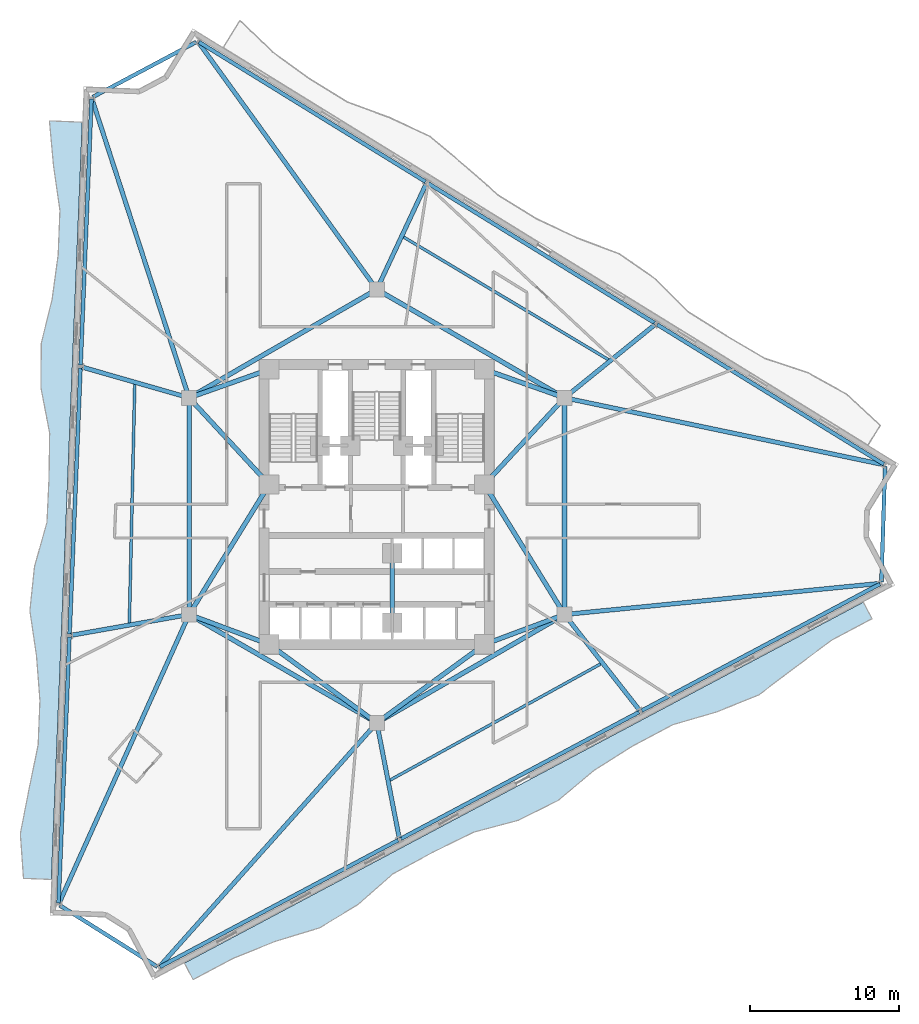
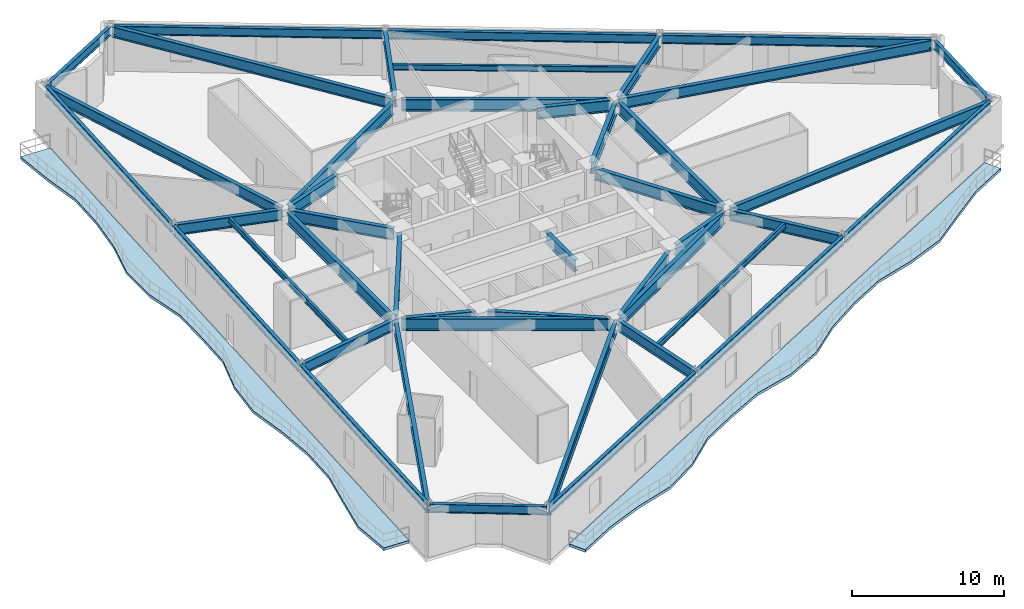
# One storey, part 3 of 12: 44 beams, 2 slabs.
"""IFC4 building model written with IfcOpenShell, lengths in metres."""

from ifc_helpers import new_model, si_unit, direction, frame, origin, origin_2d, place, context, subcontext, project, spatial, polyline, i_section, outline, extrude, material, layer, layer_set, material_profile, profile_set, type_object, element, save


model = new_model("IFC4")

# Units and contexts
model_context = context("Model", 3, precision=1e-05, world=origin(), true_north=direction((0.0, 1.0)))
body_context = subcontext(model_context, "Body", "Model", "MODEL_VIEW")
ifc_project = project(units=[si_unit("LENGTHUNIT", "METRE"), si_unit("AREAUNIT", "SQUARE_METRE"), si_unit("VOLUMEUNIT", "CUBIC_METRE"), si_unit("PLANEANGLEUNIT", "RADIAN"), si_unit("MASSUNIT", "GRAM", prefix="KILO")], contexts=[model_context])

# Site, building, storey
site_placement = place(None, origin())
site = spatial("IfcSite", under=ifc_project, at=site_placement, CompositionType="ELEMENT")
building_placement = place(site_placement, origin())
building = spatial("IfcBuilding", under=site, at=building_placement, Name="Apsidion Concourse Tower", CompositionType="ELEMENT")
storey_placement = place(building_placement, frame((0.0, 0.0, 181.89990234375)))
storey = spatial("IfcBuildingStorey", under=building, at=storey_placement, Name="L42", CompositionType="ELEMENT", Elevation=181.89990234375)

# Beams
ifc_material_1 = material(Name="Structural steel ASTM A992 Grade 50", Category="steel")
ifc_material_profile_1 = material_profile(ifc_material_1, i_section(OverallWidth=0.19091796875, OverallDepth=0.45703125, WebThickness=0.009033203125, FlangeThickness=0.014404296875, at=origin_2d()), Name="W18X50")
ifc_profile_set_1 = profile_set([ifc_material_profile_1], Name="Structural steel ASTM A992 Grade 50")
beam_type_1 = type_object("IfcBeamType", Name="BM-FL-W18", PredefinedType="BEAM", material=ifc_profile_set_1)
beam_1_placement = place(storey_placement, frame((-16.192138671875, 8.29248046875, 3.62158203125), z_axis=(-0.022697860677, -0.999742370374, 0.0), x_axis=(0.999742370374, -0.022697860677, 0.0)))
element("IfcBeam", 1, at=beam_1_placement, inside=storey, type_object=beam_type_1, Name="L42 Secondary Floor Beam SEC-F1", PredefinedType="BEAM", context=body_context, shape_type="SweptSolid", body=[
    extrude(i_section(OverallWidth=0.19091796875, OverallDepth=0.45703125, WebThickness=0.009033203125, FlangeThickness=0.014404296875, at=origin_2d()), origin(), (0.0, 0.0, 1.0), 16.25244140625),
])
beam_2_placement = place(storey_placement, frame((0.760009765625, -18.40087890625, 3.62158203125), z_axis=(0.87560616621, 0.483025715355, 0.0), x_axis=(-0.483025715355, 0.87560616621, 0.0)))
element("IfcBeam", 2, at=beam_2_placement, inside=storey, type_object=beam_type_1, Name="L42 Secondary Floor Beam SEC-F2", PredefinedType="BEAM", context=body_context, shape_type="SweptSolid", body=[
    extrude(i_section(OverallWidth=0.19091796875, OverallDepth=0.45703125, WebThickness=0.009033203125, FlangeThickness=0.014404296875, at=origin_2d()), origin(), (0.0, 0.0, 1.0), 16.376708984375),
])
beam_3_placement = place(storey_placement, frame((15.619384765625, 9.7265625, 3.62158203125), z_axis=(-0.85795243344, 0.513729132865, 0.0), x_axis=(-0.513729132865, -0.85795243344, 0.0)))
element("IfcBeam", 3, at=beam_3_placement, inside=storey, type_object=beam_type_1, Name="L42 Secondary Floor Beam SEC-F3", PredefinedType="BEAM", context=body_context, shape_type="SweptSolid", body=[
    extrude(i_section(OverallWidth=0.19091796875, OverallDepth=0.45703125, WebThickness=0.009033203125, FlangeThickness=0.014404296875, at=origin_2d()), origin(), (0.0, 0.0, 1.0), 16.25537109375),
])
ifc_material_profile_2 = material_profile(ifc_material_1, i_section(OverallWidth=0.2919921875, OverallDepth=0.85888671875, WebThickness=0.01708984375, FlangeThickness=0.031005859375, at=origin_2d()), Name="W33X169")
ifc_profile_set_2 = profile_set([ifc_material_profile_2], Name="Structural steel ASTM A992 Grade 50")
beam_type_2 = type_object("IfcBeamType", Name="BM-G-W33", PredefinedType="USERDEFINED", material=ifc_profile_set_2)
beam_4_placement = place(storey_placement, frame((-12.6279296875, 7.459228515625, 3.420654296875), z_axis=(-0.309075984528, 0.95103734721, 0.0), x_axis=(-0.95103734721, -0.309075984528, 0.0)))
element("IfcBeam", 4, at=beam_4_placement, inside=storey, type_object=beam_type_2, Name="L42 Radial Floor Girder RAD-01", ObjectType="GIRDER", PredefinedType="USERDEFINED", context=body_context, shape_type="SweptSolid", body=[
    extrude(i_section(OverallWidth=0.2919921875, OverallDepth=0.85888671875, WebThickness=0.01708984375, FlangeThickness=0.031005859375, at=origin_2d()), origin(), (0.0, 0.0, 1.0), 20.794921875),
])
beam_5_placement = place(storey_placement, frame((-12.771484375, 7.310791015625, 3.420654296875), z_axis=(-0.961194838859, 0.275870407531, 0.0), x_axis=(-0.275870407531, -0.961194838859, 0.0)))
element("IfcBeam", 5, at=beam_5_placement, inside=storey, type_object=beam_type_2, Name="L42 Radial Floor Girder RAD-02", ObjectType="GIRDER", PredefinedType="USERDEFINED", context=body_context, shape_type="SweptSolid", body=[
    extrude(i_section(OverallWidth=0.2919921875, OverallDepth=0.85888671875, WebThickness=0.01708984375, FlangeThickness=0.031005859375, at=origin_2d()), origin(), (0.0, 0.0, 1.0), 7.2373046875),
])
beam_6_placement = place(storey_placement, frame((-12.776611328125, -7.2880859375, 3.420654296875), z_axis=(-0.9848005578, -0.173688978798, 0.0), x_axis=(0.173688978798, -0.9848005578, 0.0)))
element("IfcBeam", 6, at=beam_6_placement, inside=storey, type_object=beam_type_2, Name="L42 Radial Floor Girder RAD-03", ObjectType="GIRDER", PredefinedType="USERDEFINED", context=body_context, shape_type="SweptSolid", body=[
    extrude(i_section(OverallWidth=0.2919921875, OverallDepth=0.85888671875, WebThickness=0.01708984375, FlangeThickness=0.031005859375, at=origin_2d()), origin(), (0.0, 0.0, 1.0), 7.805419921875),
])
beam_7_placement = place(storey_placement, frame((-12.650390625, -7.45068359375, 3.420654296875), z_axis=(-0.410615485001, -0.911808600243, 0.0), x_axis=(0.911808600243, -0.410615485001, 0.0)))
element("IfcBeam", 7, at=beam_7_placement, inside=storey, type_object=beam_type_2, Name="L42 Radial Floor Girder RAD-04", ObjectType="GIRDER", PredefinedType="USERDEFINED", context=body_context, shape_type="SweptSolid", body=[
    extrude(i_section(OverallWidth=0.2919921875, OverallDepth=0.85888671875, WebThickness=0.01708984375, FlangeThickness=0.031005859375, at=origin_2d()), origin(), (0.0, 0.0, 1.0), 20.964599609375),
])
beam_8_placement = place(storey_placement, frame((-0.146484375, -14.664306640625, 3.420654296875), z_axis=(-0.665534428073, -0.746367151642, 0.0), x_axis=(0.746367151642, -0.665534428073, 0.0)))
element("IfcBeam", 8, at=beam_8_placement, inside=storey, type_object=beam_type_2, Name="L42 Radial Floor Girder RAD-05", ObjectType="GIRDER", PredefinedType="USERDEFINED", context=body_context, shape_type="SweptSolid", body=[
    extrude(i_section(OverallWidth=0.2919921875, OverallDepth=0.85888671875, WebThickness=0.01708984375, FlangeThickness=0.031005859375, at=origin_2d()), origin(), (0.0, 0.0, 1.0), 21.616455078125),
])
beam_9_placement = place(storey_placement, frame((0.0419921875, -14.7158203125, 3.420654296875), z_axis=(0.191214845848, -0.981548207032, 0.0), x_axis=(0.981548207032, 0.191214845848, 0.0)))
element("IfcBeam", 9, at=beam_9_placement, inside=storey, type_object=beam_type_2, Name="L42 Radial Floor Girder RAD-06", ObjectType="GIRDER", PredefinedType="USERDEFINED", context=body_context, shape_type="SweptSolid", body=[
    extrude(i_section(OverallWidth=0.2919921875, OverallDepth=0.85888671875, WebThickness=0.01708984375, FlangeThickness=0.031005859375, at=origin_2d()), origin(), (0.0, 0.0, 1.0), 7.62890625),
])
beam_10_placement = place(storey_placement, frame((12.69580078125, -7.423095703125, 3.420654296875), z_axis=(0.616838796002, -0.787089511902, 0.0), x_axis=(0.787089511902, 0.616838796002, 0.0)))
element("IfcBeam", 10, at=beam_10_placement, inside=storey, type_object=beam_type_2, Name="L42 Radial Floor Girder RAD-07", ObjectType="GIRDER", PredefinedType="USERDEFINED", context=body_context, shape_type="SweptSolid", body=[
    extrude(i_section(OverallWidth=0.2919921875, OverallDepth=0.85888671875, WebThickness=0.01708984375, FlangeThickness=0.031005859375, at=origin_2d()), origin(), (0.0, 0.0, 1.0), 7.914306640625),
])
beam_11_placement = place(storey_placement, frame((12.77880859375, -7.228515625, 3.420654296875), z_axis=(0.995176296258, 0.098102698054, 0.0), x_axis=(-0.098102698054, 0.995176296258, 0.0)))
element("IfcBeam", 11, at=beam_11_placement, inside=storey, type_object=beam_type_2, Name="L42 Radial Floor Girder RAD-08", ObjectType="GIRDER", PredefinedType="USERDEFINED", context=body_context, shape_type="SweptSolid", body=[
    extrude(i_section(OverallWidth=0.2919921875, OverallDepth=0.85888671875, WebThickness=0.01708984375, FlangeThickness=0.031005859375, at=origin_2d()), origin(), (0.0, 0.0, 1.0), 20.981689453125),
])
beam_12_placement = place(storey_placement, frame((12.775390625, 7.204833984375, 3.420654296875), z_axis=(0.978712115689, -0.20523789758, 0.0), x_axis=(0.20523789758, 0.978712115689, 0.0)))
element("IfcBeam", 12, at=beam_12_placement, inside=storey, type_object=beam_type_2, Name="L42 Radial Floor Girder RAD-09", ObjectType="GIRDER", PredefinedType="USERDEFINED", context=body_context, shape_type="SweptSolid", body=[
    extrude(i_section(OverallWidth=0.2919921875, OverallDepth=0.85888671875, WebThickness=0.01708984375, FlangeThickness=0.031005859375, at=origin_2d()), origin(), (0.0, 0.0, 1.0), 21.597412109375),
])
beam_13_placement = place(storey_placement, frame((12.73095703125, 7.388427734375, 3.420654296875), z_axis=(0.777235083984, 0.629210317958, 0.0), x_axis=(-0.629210317958, 0.777235083984, 0.0)))
element("IfcBeam", 13, at=beam_13_placement, inside=storey, type_object=beam_type_2, Name="L42 Radial Floor Girder RAD-10", ObjectType="GIRDER", PredefinedType="USERDEFINED", context=body_context, shape_type="SweptSolid", body=[
    extrude(i_section(OverallWidth=0.2919921875, OverallDepth=0.85888671875, WebThickness=0.01708984375, FlangeThickness=0.031005859375, at=origin_2d()), origin(), (0.0, 0.0, 1.0), 7.55224609375),
])
beam_14_placement = place(storey_placement, frame((0.09326171875, 14.69921875, 3.420654296875), z_axis=(0.423634804892, 0.905833070761, 0.0), x_axis=(-0.905833070761, 0.423634804892, 0.0)))
element("IfcBeam", 14, at=beam_14_placement, inside=storey, type_object=beam_type_2, Name="L42 Radial Floor Girder RAD-11", ObjectType="GIRDER", PredefinedType="USERDEFINED", context=body_context, shape_type="SweptSolid", body=[
    extrude(i_section(OverallWidth=0.2919921875, OverallDepth=0.85888671875, WebThickness=0.01708984375, FlangeThickness=0.031005859375, at=origin_2d()), origin(), (0.0, 0.0, 1.0), 7.578857421875),
])
beam_15_placement = place(storey_placement, frame((-0.12890625, 14.678466796875, 3.420654296875), z_axis=(-0.58524513155, 0.810856421321, 0.0), x_axis=(-0.810856421321, -0.58524513155, 0.0)))
element("IfcBeam", 15, at=beam_15_placement, inside=storey, type_object=beam_type_2, Name="L42 Radial Floor Girder RAD-12", ObjectType="GIRDER", PredefinedType="USERDEFINED", context=body_context, shape_type="SweptSolid", body=[
    extrude(i_section(OverallWidth=0.2919921875, OverallDepth=0.85888671875, WebThickness=0.01708984375, FlangeThickness=0.031005859375, at=origin_2d()), origin(), (0.0, 0.0, 1.0), 20.16015625),
])
ifc_material_profile_3 = material_profile(ifc_material_1, i_section(OverallWidth=0.31005859375, OverallDepth=0.931884765625, WebThickness=0.02099609375, FlangeThickness=0.034423828125, at=origin_2d()), Name="W36X210")
ifc_profile_set_3 = profile_set([ifc_material_profile_3], Name="Structural steel ASTM A992 Grade 50")
beam_type_3 = type_object("IfcBeamType", Name="BM-G-W36", PredefinedType="USERDEFINED", material=ifc_profile_set_3)
beam_16_placement = place(storey_placement, frame((-12.185302734375, -7.389892578125, 3.384033203125), z_axis=(0.936913021145, -0.349562570664, 0.0), x_axis=(0.349562570664, 0.936913021145, 0.0)))
element("IfcBeam", 16, at=beam_16_placement, inside=storey, type_object=beam_type_3, Name="L42 Core Coupling Girder IC1-SC1", ObjectType="GIRDER", PredefinedType="USERDEFINED", context=body_context, shape_type="SweptSolid", body=[
    extrude(i_section(OverallWidth=0.31005859375, OverallDepth=0.931884765625, WebThickness=0.02099609375, FlangeThickness=0.034423828125, at=origin_2d()), origin(), (0.0, 0.0, 1.0), 4.921142578125),
])
beam_17_placement = place(storey_placement, frame((-12.35009765625, -6.909423828125, 3.384033203125), z_axis=(0.524524009763, 0.851395656074, 0.0), x_axis=(-0.851395656074, 0.524524009763, 0.0)))
element("IfcBeam", 17, at=beam_17_placement, inside=storey, type_object=beam_type_3, Name="L42 Core Coupling Girder IC1-SC6", ObjectType="GIRDER", PredefinedType="USERDEFINED", context=body_context, shape_type="SweptSolid", body=[
    extrude(i_section(OverallWidth=0.31005859375, OverallDepth=0.931884765625, WebThickness=0.02099609375, FlangeThickness=0.034423828125, at=origin_2d()), origin(), (0.0, 0.0, 1.0), 9.41845703125),
])
beam_18_placement = place(storey_placement, frame((12.185302734375, -7.389892578125, 3.384033203125), z_axis=(-0.936913021145, -0.349562570664, 0.0), x_axis=(0.349562570664, -0.936913021145, 0.0)))
element("IfcBeam", 18, at=beam_18_placement, inside=storey, type_object=beam_type_3, Name="L42 Core Coupling Girder IC2-SC2", ObjectType="GIRDER", PredefinedType="USERDEFINED", context=body_context, shape_type="SweptSolid", body=[
    extrude(i_section(OverallWidth=0.31005859375, OverallDepth=0.931884765625, WebThickness=0.02099609375, FlangeThickness=0.034423828125, at=origin_2d()), origin(), (0.0, 0.0, 1.0), 4.921142578125),
])
beam_19_placement = place(storey_placement, frame((12.35009765625, -6.909423828125, 3.384033203125), z_axis=(-0.524524009763, 0.851395656074, 0.0), x_axis=(-0.851395656074, -0.524524009763, 0.0)))
element("IfcBeam", 19, at=beam_19_placement, inside=storey, type_object=beam_type_3, Name="L42 Core Coupling Girder IC2-SC3", ObjectType="GIRDER", PredefinedType="USERDEFINED", context=body_context, shape_type="SweptSolid", body=[
    extrude(i_section(OverallWidth=0.31005859375, OverallDepth=0.931884765625, WebThickness=0.02099609375, FlangeThickness=0.034423828125, at=origin_2d()), origin(), (0.0, 0.0, 1.0), 9.41845703125),
])
beam_20_placement = place(storey_placement, frame((12.28857421875, 6.956298828125, 3.384033203125), z_axis=(-0.678712876106, -0.73440372535, 0.0), x_axis=(0.73440372535, -0.678712876106, 0.0)))
element("IfcBeam", 20, at=beam_20_placement, inside=storey, type_object=beam_type_3, Name="L42 Core Coupling Girder IC3-SC3", ObjectType="GIRDER", PredefinedType="USERDEFINED", context=body_context, shape_type="SweptSolid", body=[
    extrude(i_section(OverallWidth=0.31005859375, OverallDepth=0.931884765625, WebThickness=0.02099609375, FlangeThickness=0.034423828125, at=origin_2d()), origin(), (0.0, 0.0, 1.0), 7.097412109375),
])
beam_21_placement = place(storey_placement, frame((12.18310546875, 7.383544921875, 3.384033203125), z_axis=(-0.942533844539, 0.334110688094, 0.0), x_axis=(-0.334110688094, -0.942533844539, 0.0)))
element("IfcBeam", 21, at=beam_21_placement, inside=storey, type_object=beam_type_3, Name="L42 Core Coupling Girder IC3-SC4", ObjectType="GIRDER", PredefinedType="USERDEFINED", context=body_context, shape_type="SweptSolid", body=[
    extrude(i_section(OverallWidth=0.31005859375, OverallDepth=0.931884765625, WebThickness=0.02099609375, FlangeThickness=0.034423828125, at=origin_2d()), origin(), (0.0, 0.0, 1.0), 4.886962890625),
])
beam_22_placement = place(storey_placement, frame((-12.28857421875, 6.956298828125, 3.384033203125), z_axis=(0.678712876106, -0.73440372535, 0.0), x_axis=(0.73440372535, 0.678712876106, 0.0)))
element("IfcBeam", 22, at=beam_22_placement, inside=storey, type_object=beam_type_3, Name="L42 Core Coupling Girder IC5-SC6", ObjectType="GIRDER", PredefinedType="USERDEFINED", context=body_context, shape_type="SweptSolid", body=[
    extrude(i_section(OverallWidth=0.31005859375, OverallDepth=0.931884765625, WebThickness=0.02099609375, FlangeThickness=0.034423828125, at=origin_2d()), origin(), (0.0, 0.0, 1.0), 7.097412109375),
])
beam_23_placement = place(storey_placement, frame((-12.18310546875, 7.383544921875, 3.384033203125), z_axis=(0.942533844539, 0.334110688094, 0.0), x_axis=(-0.334110688094, 0.942533844539, 0.0)))
element("IfcBeam", 23, at=beam_23_placement, inside=storey, type_object=beam_type_3, Name="L42 Core Coupling Girder IC5-SC5", ObjectType="GIRDER", PredefinedType="USERDEFINED", context=body_context, shape_type="SweptSolid", body=[
    extrude(i_section(OverallWidth=0.31005859375, OverallDepth=0.931884765625, WebThickness=0.02099609375, FlangeThickness=0.034423828125, at=origin_2d()), origin(), (0.0, 0.0, 1.0), 4.886962890625),
])
for number, where, z_axis, x_axis, name in (
    (24, (-0.3232421875, -14.264404296875, 3.384033203125), (-0.807993498909, 0.589191399905, 0.0), (-0.589191399905, -0.807993498909, 0.0), "L42 Core Coupling Girder IC6-SC1"),
    (25, (0.3232421875, -14.264404296875, 3.384033203125), (0.807993498909, 0.589191399905, 0.0), (-0.589191399905, 0.807993498909, 0.0), "L42 Core Coupling Girder IC6-SC2"),
):
    element("IfcBeam", number, at=place(storey_placement, frame(where, z_axis=z_axis, x_axis=x_axis)), inside=storey, type_object=beam_type_3, Name=name, ObjectType="GIRDER", PredefinedType="USERDEFINED", context=body_context, shape_type="SweptSolid", body=[
        extrude(i_section(OverallWidth=0.31005859375, OverallDepth=0.931884765625, WebThickness=0.02099609375, FlangeThickness=0.034423828125, at=origin_2d()), origin(), (0.0, 0.0, 1.0), 8.11083984375),
    ])
beam_24_placement = place(storey_placement, frame((-12.56005859375, -6.85009765625, 3.384033203125), z_axis=(0.0, 1.0, 0.0), x_axis=(-1.0, 0.0, 0.0)))
element("IfcBeam", 26, at=beam_24_placement, inside=storey, type_object=beam_type_3, Name="L42 Core Coupling Girder IC1-IC5", ObjectType="GIRDER", PredefinedType="USERDEFINED", context=body_context, shape_type="SweptSolid", body=[
    extrude(i_section(OverallWidth=0.31005859375, OverallDepth=0.931884765625, WebThickness=0.02099609375, FlangeThickness=0.034423828125, at=origin_2d()), origin(), (0.0, 0.0, 1.0), 13.7001953125),
])
for number, where, z_axis, x_axis, name in (
    (27, (-12.213623046875, 7.449951171875, 3.384033203125), (0.866070471464, 0.499921932364, 0.0), (-0.499921932364, 0.866070471464, 0.0), "L42 Core Coupling Girder IC5-IC4"),
    (28, (0.346435546875, 14.300048828125, 3.384033203125), (0.866070471464, -0.499921932364, 0.0), (0.499921932364, 0.866070471464, 0.0), "L42 Core Coupling Girder IC4-IC3"),
):
    element("IfcBeam", number, at=place(storey_placement, frame(where, z_axis=z_axis, x_axis=x_axis)), inside=storey, type_object=beam_type_3, Name=name, ObjectType="GIRDER", PredefinedType="USERDEFINED", context=body_context, shape_type="SweptSolid", body=[
        extrude(i_section(OverallWidth=0.31005859375, OverallDepth=0.931884765625, WebThickness=0.02099609375, FlangeThickness=0.034423828125, at=origin_2d()), origin(), (0.0, 0.0, 1.0), 13.702392578125),
    ])
beam_25_placement = place(storey_placement, frame((12.56005859375, 6.85009765625, 3.384033203125), z_axis=(0.0, -1.0, 0.0), x_axis=(1.0, 0.0, 0.0)))
element("IfcBeam", 29, at=beam_25_placement, inside=storey, type_object=beam_type_3, Name="L42 Core Coupling Girder IC3-IC2", ObjectType="GIRDER", PredefinedType="USERDEFINED", context=body_context, shape_type="SweptSolid", body=[
    extrude(i_section(OverallWidth=0.31005859375, OverallDepth=0.931884765625, WebThickness=0.02099609375, FlangeThickness=0.034423828125, at=origin_2d()), origin(), (0.0, 0.0, 1.0), 13.7001953125),
])
for number, where, z_axis, x_axis, name in (
    (30, (12.213623046875, -7.449951171875, 3.384033203125), (-0.866070471464, -0.499921932364, 0.0), (0.499921932364, -0.866070471464, 0.0), "L42 Core Coupling Girder IC2-IC6"),
    (31, (-0.346435546875, -14.300048828125, 3.384033203125), (-0.866070471464, 0.499921932364, 0.0), (-0.499921932364, -0.866070471464, 0.0), "L42 Core Coupling Girder IC6-IC1"),
):
    element("IfcBeam", number, at=place(storey_placement, frame(where, z_axis=z_axis, x_axis=x_axis)), inside=storey, type_object=beam_type_3, Name=name, ObjectType="GIRDER", PredefinedType="USERDEFINED", context=body_context, shape_type="SweptSolid", body=[
        extrude(i_section(OverallWidth=0.31005859375, OverallDepth=0.931884765625, WebThickness=0.02099609375, FlangeThickness=0.034423828125, at=origin_2d()), origin(), (0.0, 0.0, 1.0), 13.702392578125),
    ])
beam_26_placement = place(storey_placement, frame((1.02490234375, -3.550048828125, 3.384033203125), z_axis=(0.0, -1.0, 0.0), x_axis=(1.0, 0.0, 0.0)))
element("IfcBeam", 32, at=beam_26_placement, inside=storey, type_object=beam_type_3, Name="L42 Core Coupling Girder CC5-CC6", ObjectType="GIRDER", PredefinedType="USERDEFINED", context=body_context, shape_type="SweptSolid", body=[
    extrude(i_section(OverallWidth=0.31005859375, OverallDepth=0.931884765625, WebThickness=0.02099609375, FlangeThickness=0.034423828125, at=origin_2d()), origin(), (0.0, 0.0, 1.0), 3.849853515625),
])
ifc_material_profile_4 = material_profile(ifc_material_1, i_section(OverallWidth=0.256103515625, OverallDepth=0.693115234375, WebThickness=0.014404296875, FlangeThickness=0.023681640625, at=origin_2d()), Name="W27X114")
ifc_profile_set_4 = profile_set([ifc_material_profile_4], Name="Structural steel ASTM A992 Grade 50")
beam_type_4 = type_object("IfcBeamType", Name="BM-SP-W27", PredefinedType="SPANDREL", material=ifc_profile_set_4)
beam_27_placement = place(storey_placement, frame((-19.090087890625, 27.2314453125, 3.503662109375), z_axis=(-0.040983440282, -0.999159825865, 0.0), x_axis=(0.999159825865, -0.040983440282, 0.0)))
element("IfcBeam", 33, at=beam_27_placement, inside=storey, type_object=beam_type_4, Name="L42 Perimeter Spandrel Girder SP-01", PredefinedType="SPANDREL", context=body_context, shape_type="SweptSolid", body=[
    extrude(i_section(OverallWidth=0.256103515625, OverallDepth=0.693115234375, WebThickness=0.014404296875, FlangeThickness=0.023681640625, at=origin_2d()), origin(), (0.0, 0.0, 1.0), 17.8115234375),
])
for number, where, z_axis, x_axis, name in (
    (34, (-19.828125, 9.235107421875, 3.503662109375), (-0.040970317559, -0.999160364045, 0.0), (0.999160364045, -0.040970317559, 0.0), "L42 Perimeter Spandrel Girder SP-02"),
    (35, (-20.566162109375, -8.76123046875, 3.503662109375), (-0.040970317559, -0.999160364045, 0.0), (0.999160364045, -0.040970317559, 0.0), "L42 Perimeter Spandrel Girder SP-03"),
):
    element("IfcBeam", number, at=place(storey_placement, frame(where, z_axis=z_axis, x_axis=x_axis)), inside=storey, type_object=beam_type_4, Name=name, PredefinedType="SPANDREL", context=body_context, shape_type="SweptSolid", body=[
        extrude(i_section(OverallWidth=0.256103515625, OverallDepth=0.693115234375, WebThickness=0.014404296875, FlangeThickness=0.023681640625, at=origin_2d()), origin(), (0.0, 0.0, 1.0), 17.811279296875),
    ])
beam_28_placement = place(storey_placement, frame((-21.21533203125, -26.710693359375, 3.503662109375), z_axis=(0.846430391353, -0.532499382718, 0.0), x_axis=(0.532499382718, 0.846430391353, 0.0)))
element("IfcBeam", 36, at=beam_28_placement, inside=storey, type_object=beam_type_4, Name="L42 Perimeter Spandrel Girder SP-04", PredefinedType="SPANDREL", context=body_context, shape_type="SweptSolid", body=[
    extrude(i_section(OverallWidth=0.256103515625, OverallDepth=0.693115234375, WebThickness=0.014404296875, FlangeThickness=0.023681640625, at=origin_2d()), origin(), (0.0, 0.0, 1.0), 7.71630859375),
])
beam_29_placement = place(storey_placement, frame((-14.51123046875, -30.825927734375, 3.503662109375), z_axis=(0.882942871348, 0.46948044255, 0.0), x_axis=(-0.46948044255, 0.882942871348, 0.0)))
element("IfcBeam", 37, at=beam_29_placement, inside=storey, type_object=beam_type_4, Name="L42 Perimeter Spandrel Girder SP-05", PredefinedType="SPANDREL", context=body_context, shape_type="SweptSolid", body=[
    extrude(i_section(OverallWidth=0.256103515625, OverallDepth=0.693115234375, WebThickness=0.014404296875, FlangeThickness=0.023681640625, at=origin_2d()), origin(), (0.0, 0.0, 1.0), 18.05615234375),
])
for number, where, z_axis, x_axis, name in (
    (38, (1.608154296875, -22.255126953125, 3.503662109375), (0.88294585151, 0.469474837771, 0.0), (-0.469474837771, 0.88294585151, 0.0), "L42 Perimeter Spandrel Girder SP-06"),
    (39, (17.7275390625, -13.68408203125, 3.503662109375), (0.882951456204, 0.469464296819, 0.0), (-0.469464296819, 0.882951456204, 0.0), "L42 Perimeter Spandrel Girder SP-07"),
):
    element("IfcBeam", number, at=place(storey_placement, frame(where, z_axis=z_axis, x_axis=x_axis)), inside=storey, type_object=beam_type_4, Name=name, PredefinedType="SPANDREL", context=body_context, shape_type="SweptSolid", body=[
        extrude(i_section(OverallWidth=0.256103515625, OverallDepth=0.693115234375, WebThickness=0.014404296875, FlangeThickness=0.023681640625, at=origin_2d()), origin(), (0.0, 0.0, 1.0), 18.056396484375),
    ])
beam_30_placement = place(storey_placement, frame((33.761962890625, -5.060302734375, 3.503662109375), z_axis=(0.031862000175, 0.999492277581, 0.0), x_axis=(-0.999492277581, 0.031862000175, 0.0)))
element("IfcBeam", 40, at=beam_30_placement, inside=storey, type_object=beam_type_4, Name="L42 Perimeter Spandrel Girder SP-08", PredefinedType="SPANDREL", context=body_context, shape_type="SweptSolid", body=[
    extrude(i_section(OverallWidth=0.256103515625, OverallDepth=0.693115234375, WebThickness=0.014404296875, FlangeThickness=0.023681640625, at=origin_2d()), origin(), (0.0, 0.0, 1.0), 7.716064453125),
])
for number, where, z_axis, x_axis, name in (
    (41, (33.92578125, 2.80419921875, 3.503662109375), (-0.851253326815, 0.524754965281, 0.0), (-0.524754965281, -0.851253326815, 0.0), "L42 Perimeter Spandrel Girder SP-09"),
    (42, (18.593505859375, 12.255859375, 3.503662109375), (-0.851253326815, 0.524754965281, 0.0), (-0.524754965281, -0.851253326815, 0.0), "L42 Perimeter Spandrel Girder SP-10"),
    (43, (3.26123046875, 21.70751953125, 3.503662109375), (-0.851253326815, 0.524754965281, 0.0), (-0.524754965281, -0.851253326815, 0.0), "L42 Perimeter Spandrel Girder SP-11"),
):
    element("IfcBeam", number, at=place(storey_placement, frame(where, z_axis=z_axis, x_axis=x_axis)), inside=storey, type_object=beam_type_4, Name=name, PredefinedType="SPANDREL", context=body_context, shape_type="SweptSolid", body=[
        extrude(i_section(OverallWidth=0.256103515625, OverallDepth=0.693115234375, WebThickness=0.014404296875, FlangeThickness=0.023681640625, at=origin_2d()), origin(), (0.0, 0.0, 1.0), 17.8115234375),
    ])
beam_31_placement = place(storey_placement, frame((-12.07421875, 31.059814453125, 3.503662109375), z_axis=(-0.882931431511, -0.469501956599, 0.0), x_axis=(0.469501956599, -0.882931431511, 0.0)))
element("IfcBeam", 44, at=beam_31_placement, inside=storey, type_object=beam_type_4, Name="L42 Perimeter Spandrel Girder SP-12", PredefinedType="SPANDREL", context=body_context, shape_type="SweptSolid", body=[
    extrude(i_section(OverallWidth=0.256103515625, OverallDepth=0.693115234375, WebThickness=0.014404296875, FlangeThickness=0.023681640625, at=origin_2d()), origin(), (0.0, 0.0, 1.0), 7.841552734375),
])

# Slabs
ifc_material_2 = material(Name="Concrete C50/60", Category="concrete")
ifc_layer = layer(ifc_material_2, 0.219970703125)
ifc_layer_set = layer_set([ifc_layer], Name="Concrete C50/60")
slab_type = type_object("IfcSlabType", Name="SL-BAL-220", PredefinedType="FLOOR", material=ifc_layer_set)
slab_1_placement = place(storey_placement, frame((0.0, 0.0, -0.219970703125)))
element("IfcSlab", 45, at=slab_1_placement, inside=storey, type_object=slab_type, Name="L42 Face 1 Rippling Balcony Slab", PredefinedType="FLOOR", context=body_context, shape_type="SweptSolid", body=[
    extrude(outline(polyline([(-19.7080078125, 25.690185546875), (-19.82958984375, 22.709716796875), (-19.951416015625, 19.729248046875), (-20.0732421875, 16.748779296875), (-20.19482421875, 13.768310546875), (-20.316650390625, 10.787841796875), (-20.4384765625, 7.807373046875), (-20.56005859375, 4.826904296875), (-20.681884765625, 1.84619140625), (-20.8037109375, -1.13427734375), (-20.92529296875, -4.11474609375), (-21.047119140625, -7.09521484375), (-21.168701171875, -10.07568359375), (-21.29052734375, -13.05615234375), (-21.412109375, -16.03662109375), (-21.533935546875, -19.01708984375), (-21.65576171875, -21.99755859375), (-21.777587890625, -24.97802734375), (-23.64111328125, -24.902099609375), (-23.85009765625, -21.907958984375), (-23.27001953125, -18.9462890625), (-22.6611328125, -15.985595703125), (-22.53955078125, -13.005126953125), (-22.76953125, -10.01025390625), (-23.21240234375, -7.006591796875), (-22.901611328125, -4.033935546875), (-22.068115234375, -1.08251953125), (-21.930908203125, 1.897216796875), (-21.888671875, 4.881103515625), (-22.46435546875, 7.889892578125), (-22.456787109375, 10.875244140625), (-21.726318359375, 13.830810546875), (-21.322021484375, 16.7998046875), (-21.200439453125, 19.7802734375), (-21.630859375, 22.783203125), (-21.906005859375, 25.780029296875), (-19.7080078125, 25.690185546875)])), origin(), (0.0, 0.0, 1.0), 0.219970703125),
])
slab_2_placement = place(storey_placement, frame((0.0, 0.0, -0.219970703125)))
element("IfcSlab", 46, at=slab_2_placement, inside=storey, type_object=slab_type, Name="L42 Face 2 Rippling Balcony Slab", PredefinedType="FLOOR", context=body_context, shape_type="SweptSolid", body=[
    extrude(outline(polyline([(-12.8740234375, -30.578369140625), (-10.2021484375, -29.15771484375), (-7.530029296875, -27.73681640625), (-4.858154296875, -26.316162109375), (-2.18603515625, -24.8955078125), (0.48583984375, -23.474609375), (3.15771484375, -22.053955078125), (5.829833984375, -20.63330078125), (8.501708984375, -19.212646484375), (11.173583984375, -17.791748046875), (13.845703125, -16.37109375), (16.517578125, -14.950439453125), (19.189697265625, -13.52978515625), (21.861572265625, -12.10888671875), (24.53369140625, -10.688232421875), (27.20556640625, -9.267578125), (29.877685546875, -7.8466796875), (32.549560546875, -6.426025390625), (33.136474609375, -7.52978515625), (30.46435546875, -8.950439453125), (28.00537109375, -10.771484375), (25.563232421875, -12.624755859375), (22.74267578125, -13.765869140625), (19.776611328125, -14.63330078125), (17.1044921875, -16.05419921875), (14.5419921875, -17.680908203125), (12.17138671875, -19.668212890625), (9.462158203125, -21.018798828125), (6.461181640625, -21.82080078125), (3.74462890625, -23.15771484375), (1.08251953125, -24.5966796875), (-1.251708984375, -26.65283203125), (-3.844970703125, -28.221435546875), (-6.796142578125, -29.1171875), (-9.615234375, -30.26123046875), (-12.287109375, -31.681884765625), (-12.8740234375, -30.578369140625)])), origin(), (0.0, 0.0, 1.0), 0.219970703125),
])

save(model, "model.ifc")
